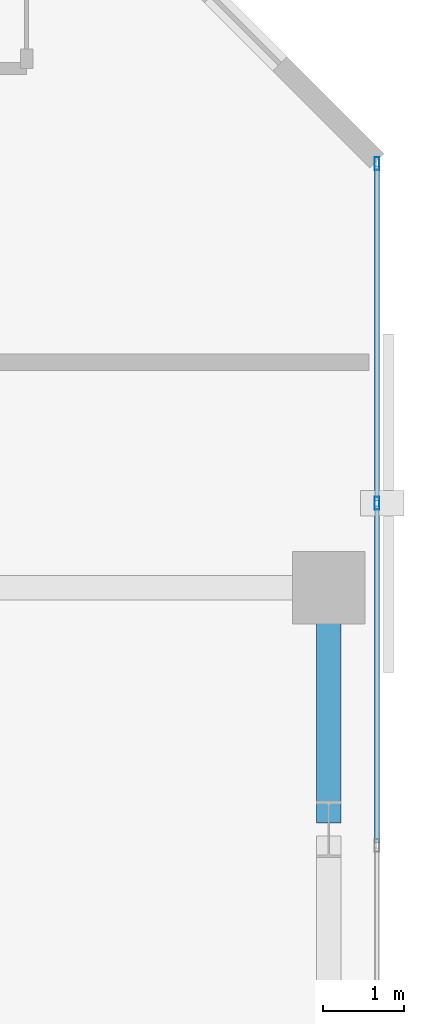
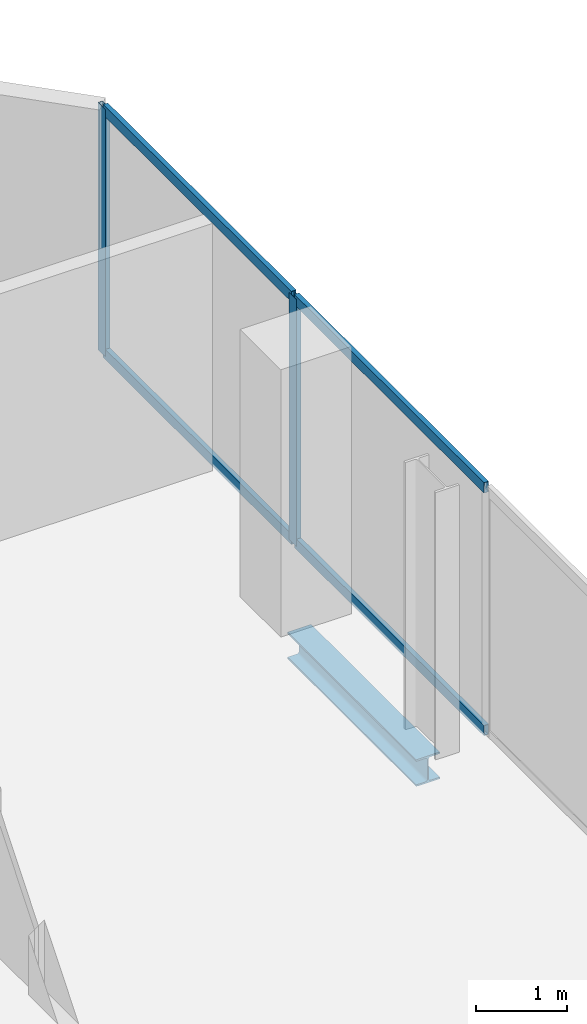
# One storey, part 26 of 33: 6 members, 1 beam, 1 element without a shape of its own.
"""IFC4 building model written with IfcOpenShell, lengths in metres."""

from ifc_helpers import new_model, si_unit, direction, frame, origin, origin_2d, place, context, subcontext, project, spatial, hollow_rectangle, i_section, extrude, material, layer, layer_set, material_profile, profile_set, type_object, element, aggregate, save


model = new_model("IFC4")

# Units and contexts
model_context = context("Model", 3, precision=1e-05, world=origin(), true_north=direction((0.0, 1.0)))
body_context = subcontext(model_context, "Body", "Model", "MODEL_VIEW")
ifc_project = project(units=[si_unit("LENGTHUNIT", "METRE"), si_unit("AREAUNIT", "SQUARE_METRE"), si_unit("VOLUMEUNIT", "CUBIC_METRE"), si_unit("PLANEANGLEUNIT", "RADIAN"), si_unit("MASSUNIT", "GRAM", prefix="KILO")], contexts=[model_context])

# Site, building, storey
site_placement = place(None, origin())
site = spatial("IfcSite", under=ifc_project, at=site_placement, CompositionType="ELEMENT")
building_placement = place(site_placement, origin())
building = spatial("IfcBuilding", under=site, at=building_placement, Name="Catumbela Crestline Tower", CompositionType="ELEMENT")
storey_placement = place(building_placement, frame((0.0, 0.0, 104.4)))
storey = spatial("IfcBuildingStorey", under=building, at=storey_placement, Name="L26", CompositionType="ELEMENT", Elevation=104.4)

# Curtain wall, members
ifc_material_1 = material(Name="Aluminium alloy AW-6060-T66", Category="aluminium")
ifc_layer = layer(ifc_material_1, 0.18, Name="Aluminium alloy AW-6060-T66")
ifc_layer_set = layer_set([ifc_layer], Name="Aluminium alloy AW-6060-T66")
curtain_wall_type = type_object("IfcCurtainWallType", Name="CWU-Z2", PredefinedType="USERDEFINED", material=ifc_layer_set)
curtain_wall_placement = place(storey_placement, origin())
curtain_wall = element("IfcCurtainWall", 1, at=curtain_wall_placement, inside=storey, type_object=curtain_wall_type, Name="L26 Unitised Curtain Wall CW-L26-E5S1", ObjectType="UNITISED", PredefinedType="USERDEFINED")
ifc_material_profile_1 = material_profile(ifc_material_1, hollow_rectangle(XDim=0.06, YDim=0.16, WallThickness=0.004, at=origin_2d()), Name="ALU 160x60x4")
ifc_profile_set_1 = profile_set([ifc_material_profile_1], Name="Aluminium alloy AW-6060-T66")
member_type_1 = type_object("IfcMemberType", Name="MUL-160X60", PredefinedType="MULLION", material=ifc_profile_set_1)
member_1_placement = place(storey_placement, frame((51.0, 40.25, 0.0), z_axis=(0.0, 0.0, 1.0), x_axis=(-1.0, 0.0, 0.0)))
member_1 = element("IfcMember", 2, at=member_1_placement, type_object=member_type_1, Name="CWU-Z2 mullion 4", PredefinedType="MULLION", context=body_context, shape_type="SweptSolid", body=[
    extrude(hollow_rectangle(XDim=0.06, YDim=0.16, WallThickness=0.004, at=origin_2d()), origin(), (0.0, 0.0, 1.0), 3.33),
])
member_2_placement = place(storey_placement, frame((51.0, 44.4675, 0.0), z_axis=(0.0, 0.0, 1.0), x_axis=(-1.0, 0.0, 0.0)))
member_2 = element("IfcMember", 3, at=member_2_placement, type_object=member_type_1, Name="CWU-Z2 mullion 5", PredefinedType="MULLION", context=body_context, shape_type="SweptSolid", body=[
    extrude(hollow_rectangle(XDim=0.06, YDim=0.16, WallThickness=0.004, at=origin_2d()), origin(), (0.0, 0.0, 1.0), 3.33),
])

# Beam
ifc_material_2 = material(Name="Structural steel S355J2", Category="steel")
ifc_material_profile_2 = material_profile(ifc_material_2, i_section(OverallWidth=0.3, OverallDepth=0.36, WebThickness=0.0125, FlangeThickness=0.0225, FilletRadius=0.027, at=origin_2d()), Name="HEB 360")
ifc_profile_set_2 = profile_set([ifc_material_profile_2], Name="Structural steel S355J2")
beam_type = type_object("IfcBeamType", Name="BS-HEB360", PredefinedType="SPANDREL", material=ifc_profile_set_2)
beam_placement = place(storey_placement, frame((50.4, 36.28, -0.44), z_axis=(0.0, 1.0, 0.0), x_axis=(-1.0, 0.0, 0.0)))
element("IfcBeam", 4, at=beam_placement, inside=storey, type_object=beam_type, Name="L26 Spandrel SP-L26-SN36", PredefinedType="SPANDREL", context=body_context, shape_type="SweptSolid", body=[
    extrude(i_section(OverallWidth=0.3, OverallDepth=0.36, WebThickness=0.0125, FlangeThickness=0.0225, FilletRadius=0.027, at=origin_2d()), origin(), (0.0, 0.0, 1.0), 2.84),
])

# Member
ifc_material_profile_3 = material_profile(ifc_material_1, hollow_rectangle(XDim=0.06, YDim=0.14, WallThickness=0.004, at=origin_2d()), Name="ALU 140x60x4")
ifc_profile_set_3 = profile_set([ifc_material_profile_3], Name="Aluminium alloy AW-6060-T66")
member_type_2 = type_object("IfcMemberType", Name="TRN-140X60", PredefinedType="USERDEFINED", material=ifc_profile_set_3)
member_3_placement = place(storey_placement, frame((51.0, 36.0325, 0.03), z_axis=(0.0, 1.0, 0.0), x_axis=(-1.0, 0.0, 0.0)))
member_3 = element("IfcMember", 5, at=member_3_placement, type_object=member_type_2, Name="CWU-Z2 transom 3.1", ObjectType="TRANSOM", PredefinedType="USERDEFINED", context=body_context, shape_type="SweptSolid", body=[
    extrude(hollow_rectangle(XDim=0.06, YDim=0.14, WallThickness=0.004, at=origin_2d()), origin(), (0.0, 0.0, 1.0), 4.185),
])

member_4_placement = place(storey_placement, frame((51.0, 36.0325, 3.3), z_axis=(0.0, 1.0, 0.0), x_axis=(-1.0, 0.0, 0.0)))
member_4 = element("IfcMember", 6, at=member_4_placement, type_object=member_type_2, Name="CWU-Z2 transom 3.2", ObjectType="TRANSOM", PredefinedType="USERDEFINED", context=body_context, shape_type="SweptSolid", body=[
    extrude(hollow_rectangle(XDim=0.06, YDim=0.14, WallThickness=0.004, at=origin_2d()), origin(), (0.0, 0.0, 1.0), 4.185),
])

member_5_placement = place(storey_placement, frame((51.0, 40.2825, 0.03), z_axis=(0.0, 1.0, 0.0), x_axis=(-1.0, 0.0, 0.0)))
member_5 = element("IfcMember", 7, at=member_5_placement, type_object=member_type_2, Name="CWU-Z2 transom 4.1", ObjectType="TRANSOM", PredefinedType="USERDEFINED", context=body_context, shape_type="SweptSolid", body=[
    extrude(hollow_rectangle(XDim=0.06, YDim=0.14, WallThickness=0.004, at=origin_2d()), origin(), (0.0, 0.0, 1.0), 4.1525),
])

member_6_placement = place(storey_placement, frame((51.0, 40.2825, 3.3), z_axis=(0.0, 1.0, 0.0), x_axis=(-1.0, 0.0, 0.0)))
member_6 = element("IfcMember", 8, at=member_6_placement, type_object=member_type_2, Name="CWU-Z2 transom 4.2", ObjectType="TRANSOM", PredefinedType="USERDEFINED", context=body_context, shape_type="SweptSolid", body=[
    extrude(hollow_rectangle(XDim=0.06, YDim=0.14, WallThickness=0.004, at=origin_2d()), origin(), (0.0, 0.0, 1.0), 4.1525),
])

aggregate(curtain_wall, [member_1, member_2, member_3, member_4, member_5, member_6])

save(model, "model.ifc")
